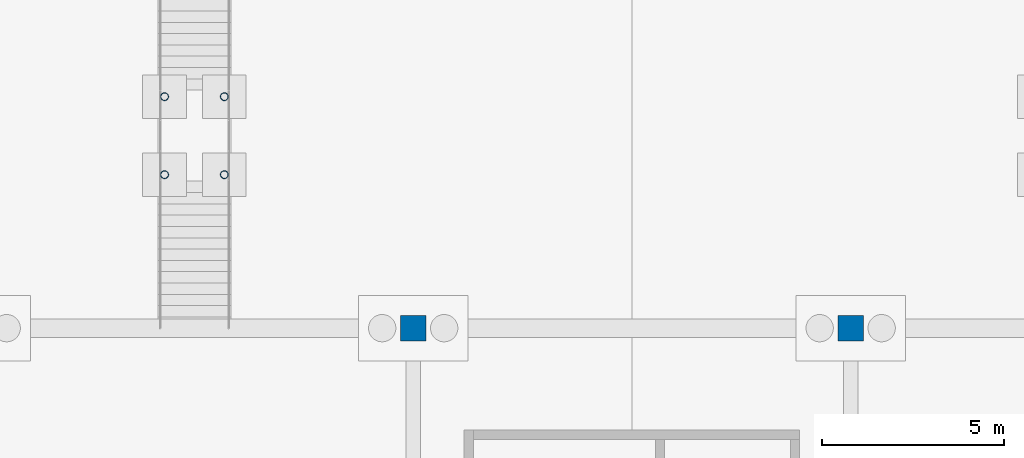
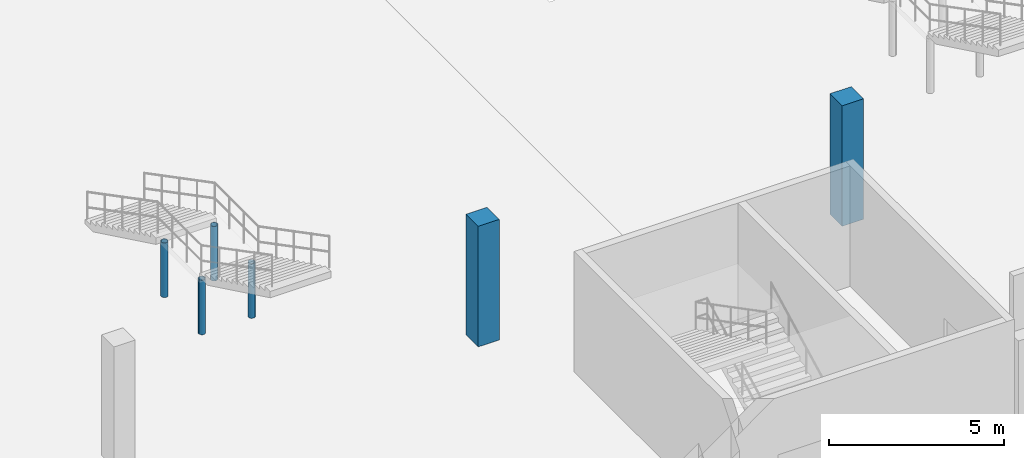
# One storey, part 26 of 77: 6 columns.
"""IFC4 building model written with IfcOpenShell, lengths in metres."""

import ifcopenshell
import ifcopenshell.guid

model = None  # the IFC model being written
_history = None  # IfcOwnerHistory: only IFC2X3 demands one
_inside = {}  # id of a spatial element -> (the spatial element, [elements in it])
_under = {}  # id of a project, library or spatial element -> (it, [spatial elements below it])
_declared = {}  # id of a project -> (the project, [libraries it declares])
_typed = {}  # id of a type object -> (the type object, [elements of that type])
_made_of = {}  # id of a material, layer set ... -> (it, [elements and type objects made of it])


def new_model(schema):
    """Start an empty IFC model of exactly this schema.

    Asked for "IFC4X3", IfcOpenShell would pick the latest addendum, in which some entities
    have other attributes; the version numbers below select the first issue.
    IFC2X3 requires an IfcOwnerHistory on every rooted entity: one is made here for all.
    """
    global model, _history
    if schema == "IFC4X3":
        model = ifcopenshell.file(schema_version=(4, 3, 0, 0))
    else:
        model = ifcopenshell.file(schema=schema)
    _inside.clear()
    _under.clear()
    _declared.clear()
    _typed.clear()
    _made_of.clear()
    _history = None
    if model.schema == "IFC2X3":
        org = make("IfcOrganization", Name="unknown")
        user = make(
            "IfcPersonAndOrganization",
            ThePerson=make("IfcPerson", FamilyName="unknown"),
            TheOrganization=org,
        )
        app = make(
            "IfcApplication",
            ApplicationDeveloper=org,
            Version="unknown",
            ApplicationFullName="unknown",
            ApplicationIdentifier="unknown",
        )
        _history = make(
            "IfcOwnerHistory",
            OwningUser=user,
            OwningApplication=app,
            ChangeAction="ADDED",
            CreationDate=0,
        )
    return model


def make(cls, **values):
    """One entity of the class cls with the attributes given. An attribute that is None is left unset."""
    return model.create_entity(
        cls, **{name: value for name, value in values.items() if value is not None}
    )


def rooted(cls, **values):
    """An entity with a GlobalId (a new one), such as an element, a storey or a relation."""
    return make(cls, GlobalId=ifcopenshell.guid.new(), OwnerHistory=_history, **values)


def si_unit(unit_type, name, prefix=None):
    """IfcSIUnit, for example si_unit("LENGTHUNIT", "METRE", prefix="MILLI")."""
    return make("IfcSIUnit", UnitType=unit_type, Prefix=prefix, Name=name)


def assignment(units):
    """IfcUnitAssignment: the units of a project."""
    return None if units is None else make("IfcUnitAssignment", Units=units)


def point(xyz):
    """IfcCartesianPoint."""
    return None if xyz is None else make("IfcCartesianPoint", Coordinates=xyz)


def direction(xyz):
    """IfcDirection."""
    return None if xyz is None else make("IfcDirection", DirectionRatios=xyz)


def frame(location, z_axis=None, x_axis=None):
    """IfcAxis2Placement3D, a coordinate frame: its origin and axes. An axis left out is left unset."""
    return make(
        "IfcAxis2Placement3D",
        Location=point(location),
        Axis=direction(z_axis),
        RefDirection=direction(x_axis),
    )


def frame_2d(location, x_axis=None):
    """IfcAxis2Placement2D, a coordinate frame in the plane: its origin and x axis."""
    return make(
        "IfcAxis2Placement2D", Location=point(location), RefDirection=direction(x_axis)
    )


def origin():
    """The frame at (0, 0, 0) with its axes left unset."""
    return frame((0.0, 0.0, 0.0))


def origin_2d():
    """The frame at (0, 0) in the plane with its x axis left unset."""
    return frame_2d((0.0, 0.0))


def place(relative_to, where):
    """IfcLocalPlacement: puts the frame where relative to a parent placement (None: the world)."""
    return make(
        "IfcLocalPlacement", PlacementRelTo=relative_to, RelativePlacement=where
    )


def context(
    kind, dimensions, precision=None, world=None, true_north=None, identifier=None
):
    """IfcGeometricRepresentationContext, for example the 3D "Model" context."""
    return make(
        "IfcGeometricRepresentationContext",
        ContextIdentifier=identifier,
        ContextType=kind,
        CoordinateSpaceDimension=dimensions,
        Precision=precision,
        WorldCoordinateSystem=world,
        TrueNorth=true_north,
    )


def subcontext(parent, identifier, kind, view, scale=None):
    """IfcGeometricRepresentationSubContext, for example "Body" below "Model"."""
    return make(
        "IfcGeometricRepresentationSubContext",
        ContextIdentifier=identifier,
        ContextType=kind,
        ParentContext=parent,
        TargetScale=scale,
        TargetView=view,
    )


def project(units=None, contexts=None):
    """IfcProject with its units and contexts."""
    return rooted(
        "IfcProject",
        Name="project",
        RepresentationContexts=contexts,
        UnitsInContext=assignment(units),
    )


def spatial(cls, under=None, at=None, **own):
    """A site, building, storey or space (cls), placed at a placement, below another one or the project."""
    s = rooted(cls, ObjectPlacement=at, **own)
    if under is not None:
        _under.setdefault(under.id(), (under, []))[1].append(s)
    return s


def profile(cls, at=None, kind="AREA", **sizes):
    """A parametric profile (cls). Its sizes go by their IFC names, for example OverallWidth=200.0."""
    return make(cls, ProfileType=kind, Position=at, **sizes)


def rectangle(**sizes):
    """IfcRectangleProfileDef."""
    return profile("IfcRectangleProfileDef", **sizes)


def hollow_circle(**sizes):
    """IfcCircleHollowProfileDef."""
    return profile("IfcCircleHollowProfileDef", **sizes)


def extrude(swept, where, along, depth):
    """IfcExtrudedAreaSolid: the profile swept, set in the frame where, extruded along a direction by depth."""
    return make(
        "IfcExtrudedAreaSolid",
        SweptArea=swept,
        Position=where,
        ExtrudedDirection=direction(along),
        Depth=depth,
    )


def shape(context_of_items, identifier, shape_type, items):
    """IfcShapeRepresentation: the items that make up one representation, for example the "Body"."""
    return make(
        "IfcShapeRepresentation",
        ContextOfItems=context_of_items,
        RepresentationIdentifier=identifier,
        RepresentationType=shape_type,
        Items=items,
    )


def material(Name=None, Category=None):
    """IfcMaterial."""
    return make("IfcMaterial", Name=Name, Category=Category)


def material_profile(
    of_material, cross_section, Name=None, Category=None, Priority=None
):
    """IfcMaterialProfile: a cross section and its material."""
    return make(
        "IfcMaterialProfile",
        Name=Name,
        Material=of_material,
        Profile=cross_section,
        Priority=Priority,
        Category=Category,
    )


def profile_set(profiles, Name=None, composite=None):
    """IfcMaterialProfileSet."""
    return make(
        "IfcMaterialProfileSet",
        Name=Name,
        MaterialProfiles=profiles,
        CompositeProfile=composite,
    )


def made_of(thing, what):
    """Note that an element or type object is made of a material, layer set ...; save() writes the relation."""
    if what is not None:
        _made_of.setdefault(what.id(), (what, []))[1].append(thing)
    return thing


def type_object(cls, material=None, **own):
    """A type object (cls), such as IfcWallType, which elements share."""
    return made_of(rooted(cls, **own), material)


def element(
    cls,
    number,
    at=None,
    inside=None,
    cuts=None,
    type_object=None,
    material=None,
    context=None,
    identifier="Body",
    shape_type=None,
    held_by="IfcProductDefinitionShape",
    body=None,
    shapes=None,
    **own,
):
    """One element of the class cls, such as IfcWall. Its Tag is "e" and its number.

    at: its placement. inside: the storey or other place that contains it. cuts: it is an
    opening in that element (IfcRelVoidsElement). A single representation is given by context,
    identifier, shape_type and body (its items); several are given by shapes. held_by: the class
    of the entity that holds the representations. save() writes the other relations.
    """
    e = rooted(cls, Tag="e%d" % number, ObjectPlacement=at, **own)
    if body is not None:
        shapes = [shape(context, identifier, shape_type, body)]
    if shapes is not None:
        e.Representation = make(held_by, Representations=shapes)
    if inside is not None:
        _inside.setdefault(inside.id(), (inside, []))[1].append(e)
    if cuts is not None:
        rooted(
            "IfcRelVoidsElement", RelatingBuildingElement=cuts, RelatedOpeningElement=e
        )
    if type_object is not None:
        _typed.setdefault(type_object.id(), (type_object, []))[1].append(e)
    return made_of(e, material)


def aggregate(whole, parts):
    """IfcRelAggregates: a whole, such as a stair, and the parts it consists of."""
    return rooted("IfcRelAggregates", RelatingObject=whole, RelatedObjects=parts)


def save(model, path):
    """Write the relations noted so far, then the file.

    IfcRelAggregates (storeys below a building ...), IfcRelContainedInSpatialStructure (elements
    in a storey), IfcRelDefinesByType, IfcRelAssociatesMaterial and IfcRelDeclares: one each for
    every whole, place, type object, material and project.
    """
    for whole, parts in _under.values():
        aggregate(whole, parts)
    for where, things in _inside.values():
        rooted(
            "IfcRelContainedInSpatialStructure",
            RelatedElements=things,
            RelatingStructure=where,
        )
    for kind, things in _typed.values():
        rooted("IfcRelDefinesByType", RelatedObjects=things, RelatingType=kind)
    for what, things in _made_of.values():
        rooted("IfcRelAssociatesMaterial", RelatedObjects=things, RelatingMaterial=what)
    for by, libraries in _declared.values():
        rooted("IfcRelDeclares", RelatingContext=by, RelatedDefinitions=libraries)
    model.write(path)


model = new_model("IFC4")

# Units and contexts
model_context = context("Model", 3, precision=1e-05, world=origin(), true_north=direction((0.0, 1.0)))
body_context = subcontext(model_context, "Body", "Model", "MODEL_VIEW")
ifc_project = project(units=[si_unit("LENGTHUNIT", "METRE"), si_unit("AREAUNIT", "SQUARE_METRE"), si_unit("VOLUMEUNIT", "CUBIC_METRE"), si_unit("PLANEANGLEUNIT", "RADIAN"), si_unit("MASSUNIT", "GRAM", prefix="KILO")], contexts=[model_context])

# Site, building, storey
site_placement = place(None, origin())
site = spatial("IfcSite", under=ifc_project, at=site_placement, CompositionType="ELEMENT")
building_placement = place(site_placement, origin())
building = spatial("IfcBuilding", under=site, at=building_placement, Name="Zilviju Railside Exhibition Hall", CompositionType="ELEMENT")
storey_placement = place(building_placement, origin())
storey = spatial("IfcBuildingStorey", under=building, at=storey_placement, Name="L01", CompositionType="ELEMENT", Elevation=0.0)

# Columns
ifc_material_1 = material(Name="Concrete C35/45", Category="concrete")
ifc_material_profile_1 = material_profile(ifc_material_1, rectangle(XDim=0.699951171875, YDim=0.699951171875, at=origin_2d()), Name="RC COL 700x700")
ifc_profile_set_1 = profile_set([ifc_material_profile_1], Name="Concrete C35/45")
column_type_1 = type_object("IfcColumnType", Name="COL-RC-700", PredefinedType="COLUMN", material=ifc_profile_set_1)
for number, where, z_axis, x_axis, name in (
    (1, (144.0, 12.0, 0.0), (0.0, 0.0, 1.0), (1.0, 0.0, 0.0), "Structural Column L01 (144.0, 12.0)"),
    (2, (156.0, 12.0, 0.0), (0.0, 0.0, 1.0), (1.0, 0.0, 0.0), "Structural Column L01 (156.0, 12.0)"),
):
    element("IfcColumn", number, at=place(storey_placement, frame(where, z_axis=z_axis, x_axis=x_axis)), inside=storey, type_object=column_type_1, Name=name, PredefinedType="COLUMN", context=body_context, shape_type="SweptSolid", body=[
        extrude(rectangle(XDim=0.699951171875, YDim=0.699951171875, at=origin_2d()), origin(), (0.0, 0.0, 1.0), 4.199951171875),
    ])
ifc_material_2 = material(Name="Steel S355ML", Category="steel")
ifc_material_profile_2 = material_profile(ifc_material_2, hollow_circle(Radius=0.109619140625, WallThickness=0.010009765625, at=origin_2d()), Name="CHS 219.1x10.0")
ifc_profile_set_2 = profile_set([ifc_material_profile_2], Name="Steel S355ML")
column_type_2 = type_object("IfcColumnType", Name="COL-ST-CHS219", PredefinedType="COLUMN", material=ifc_profile_set_2)
for number, where, z_axis, x_axis, name in (
    (3, (137.179931640625, 16.2099609375, 0.0), (0.0, 0.0, 1.0), (1.0, 0.0, 0.0), "Feature Stair ST20 Landing Column 1"),
    (4, (138.820068359375, 16.2099609375, 0.0), (0.0, 0.0, 1.0), (1.0, 0.0, 0.0), "Feature Stair ST20 Landing Column 2"),
    (5, (137.179931640625, 18.35009765625, 0.0), (0.0, 0.0, 1.0), (1.0, 0.0, 0.0), "Feature Stair ST20 Landing Column 3"),
    (6, (138.820068359375, 18.35009765625, 0.0), (0.0, 0.0, 1.0), (1.0, 0.0, 0.0), "Feature Stair ST20 Landing Column 4"),
):
    element("IfcColumn", number, at=place(storey_placement, frame(where, z_axis=z_axis, x_axis=x_axis)), inside=storey, type_object=column_type_2, Name=name, PredefinedType="COLUMN", context=body_context, shape_type="SweptSolid", body=[
        extrude(hollow_circle(Radius=0.109619140625, WallThickness=0.010009765625, at=origin_2d()), origin(), (0.0, 0.0, 1.0), 1.89990234375),
    ])

save(model, "model.ifc")
